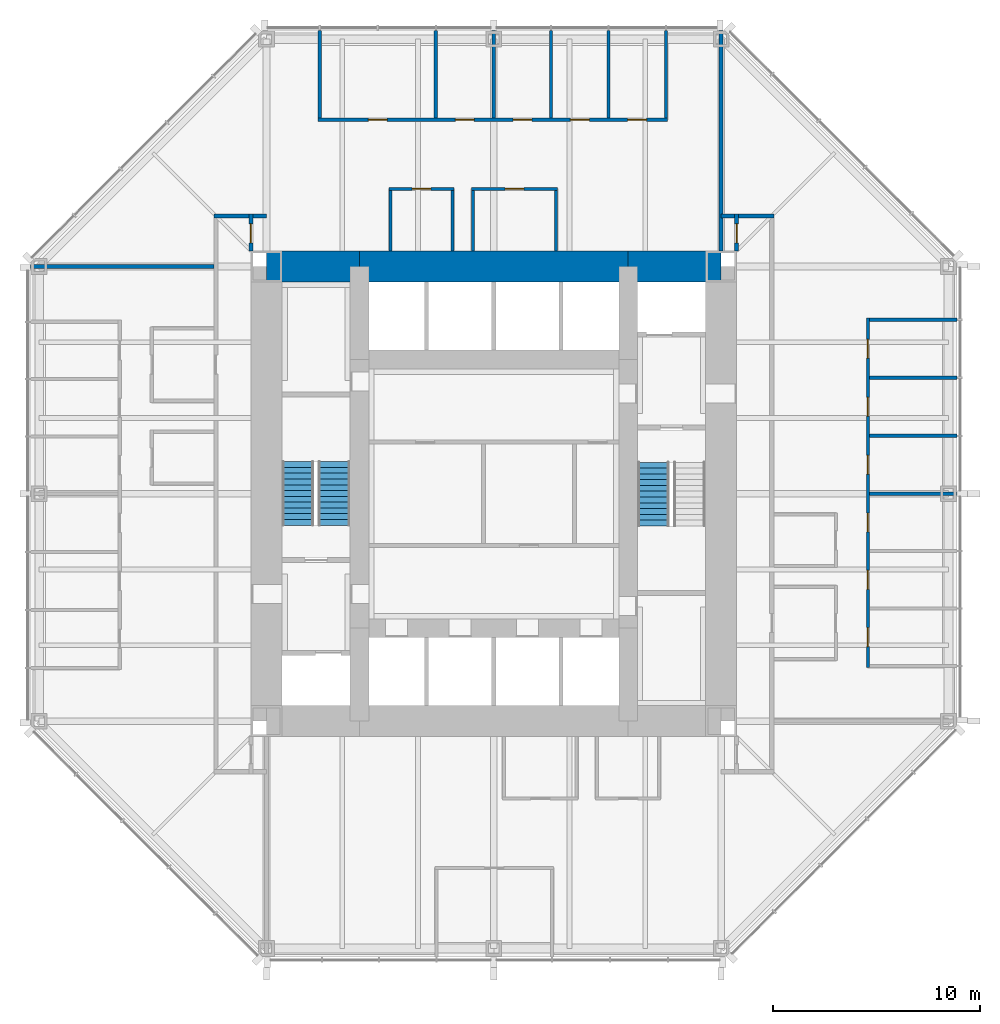
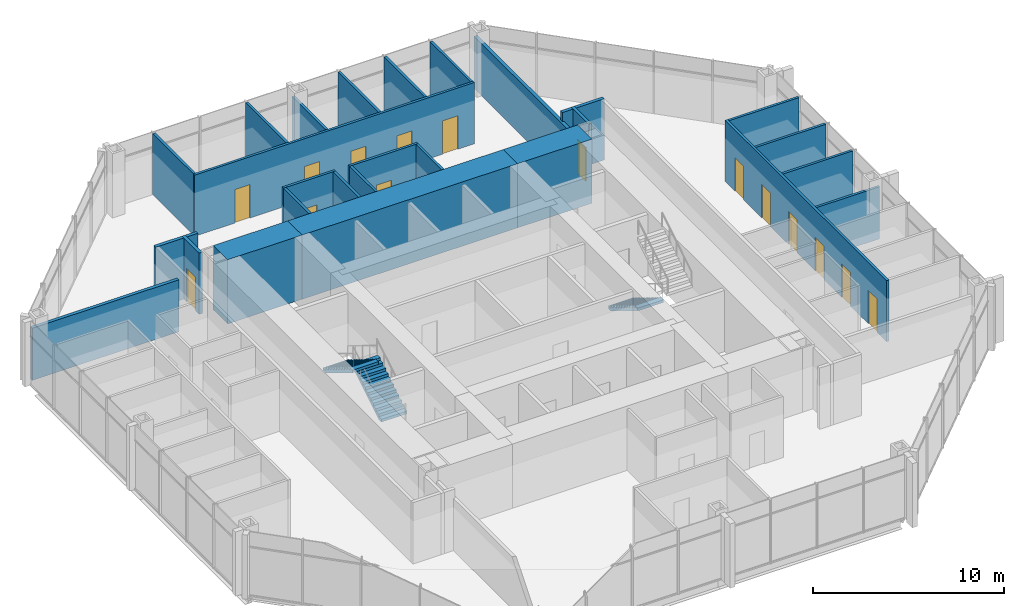
# One storey, part 11 of 14: 27 walls, 15 doors, 3 stair flights, 15 openings, 2 elements without a shape of their own.
"""IFC4 building model written with IfcOpenShell, lengths in metres."""

from ifc_helpers import new_model, si_unit, direction, frame, frame_2d, origin, place, context, subcontext, project, spatial, polyline, rectangle, outline, extrude, material, layer, layer_set, type_object, element, fill, aggregate, save


model = new_model("IFC4")

# Units and contexts
model_context = context("Model", 3, precision=1e-05, world=origin(), true_north=direction((0.0, 1.0)))
body_context = subcontext(model_context, "Body", "Model", "MODEL_VIEW")
ifc_project = project(units=[si_unit("LENGTHUNIT", "METRE"), si_unit("AREAUNIT", "SQUARE_METRE"), si_unit("VOLUMEUNIT", "CUBIC_METRE"), si_unit("PLANEANGLEUNIT", "RADIAN"), si_unit("MASSUNIT", "GRAM", prefix="KILO")], contexts=[model_context])

# Site, building, storey
site_placement = place(None, origin())
site = spatial("IfcSite", under=ifc_project, at=site_placement, CompositionType="ELEMENT")
building_placement = place(site_placement, origin())
building = spatial("IfcBuilding", under=site, at=building_placement, Name="Trevanion Tower", CompositionType="ELEMENT")
storey_placement = place(building_placement, frame((0.0, 0.0, 104.89990234375)))
storey = spatial("IfcBuildingStorey", under=building, at=storey_placement, Name="L24", CompositionType="ELEMENT", Elevation=104.89990234375)

# Walls
ifc_material_1 = material(Name="Concrete 10,000 psi", Category="concrete")
ifc_layer_1 = layer(ifc_material_1, 1.5)
ifc_layer_set_1 = layer_set([ifc_layer_1], Name="CW1 core wall 1500")
wall_type_1 = type_object("IfcWallType", Name="CW1 core wall 1500", PredefinedType="SHEAR", material=ifc_layer_set_1)
wall_1_placement = place(storey_placement, frame((11.0, 11.0, 0.0), z_axis=(0.0, 0.0, 1.0), x_axis=(-1.0, 0.0, 0.0)))
element("IfcWall", 1, at=wall_1_placement, inside=storey, type_object=wall_type_1, Name="CW1 CN1 L24", PredefinedType="SHEAR", context=body_context, shape_type="SweptSolid", body=[
    extrude(rectangle(XDim=4.5, YDim=1.5, at=frame_2d((2.25, 0.0))), origin(), (0.0, 0.0, 1.0), 4.10009765625),
])
wall_2_placement = place(storey_placement, frame((6.5, 11.0, 0.0), z_axis=(0.0, 0.0, 1.0), x_axis=(-1.0, 0.0, 0.0)))
element("IfcWall", 2, at=wall_2_placement, inside=storey, type_object=wall_type_1, Name="CW1 CN2 L24", PredefinedType="SHEAR", context=body_context, shape_type="SweptSolid", body=[
    extrude(rectangle(XDim=13.0, YDim=1.5, at=frame_2d((6.5, 0.0))), origin(), (0.0, 0.0, 1.0), 4.10009765625),
])
wall_3_placement = place(storey_placement, frame((-6.5, 11.0, 0.0), z_axis=(0.0, 0.0, 1.0), x_axis=(-1.0, 0.0, 0.0)))
element("IfcWall", 3, at=wall_3_placement, inside=storey, type_object=wall_type_1, Name="CW1 CN3 L24", PredefinedType="SHEAR", context=body_context, shape_type="SweptSolid", body=[
    extrude(rectangle(XDim=4.5, YDim=1.5, at=frame_2d((2.25, 0.0))), origin(), (0.0, 0.0, 1.0), 4.10009765625),
])

# Wall, openings, doors
ifc_material_2 = material(Name="Gypsum board on steel studs", Category="steel")
ifc_layer_2 = layer(ifc_material_2, 0.14990234375)
ifc_layer_set_2 = layer_set([ifc_layer_2], Name="PT1 partition 150")
wall_type_2 = type_object("IfcWallType", Name="PT1 partition 150", PredefinedType="PARTITIONING", material=ifc_layer_set_2)
wall_4_placement = place(storey_placement, frame((18.10009765625, -8.39794921875, 0.0), z_axis=(0.0, 0.0, 1.0), x_axis=(0.0, 1.0, 0.0)))
wall_4 = element("IfcWall", 4, at=wall_4_placement, inside=storey, type_object=wall_type_2, Name="PT1 L24 FC0F", PredefinedType="PARTITIONING", context=body_context, shape_type="SweptSolid", body=[
    extrude(rectangle(XDim=16.89404296875, YDim=0.14990234375, at=frame_2d((8.447021484375, 0.0))), origin(), (0.0, 0.0, 1.0), 3.91015625),
])
opening_1_placement = place(wall_4_placement, frame((1.00439453125, 0.0, 0.0)))
opening_1 = element("IfcOpeningElement", 5, at=opening_1_placement, cuts=wall_4, Name="Opening 24-022", PredefinedType="OPENING", context=body_context, shape_type="SweptSolid", body=[
    extrude(rectangle(XDim=0.9150390625, YDim=2.134033203125, at=frame_2d((0.45751953125, 1.06689453125))), frame((0.0, 0.0849609375, 0.0), z_axis=(0.0, -1.0, 0.0), x_axis=(1.0, 0.0, 0.0)), (0.0, 0.0, 1.0), 0.169921875),
])
opening_2_placement = place(wall_4_placement, frame((3.778564453125, 0.0, 0.0)))
opening_2 = element("IfcOpeningElement", 6, at=opening_2_placement, cuts=wall_4, Name="Opening 24-023", PredefinedType="OPENING", context=body_context, shape_type="SweptSolid", body=[
    extrude(rectangle(XDim=0.9150390625, YDim=2.134033203125, at=frame_2d((0.45751953125, 1.06689453125))), frame((0.0, 0.0849609375, 0.0), z_axis=(0.0, -1.0, 0.0), x_axis=(1.0, 0.0, 0.0)), (0.0, 0.0, 1.0), 0.169921875),
])
opening_3_placement = place(wall_4_placement, frame((6.552978515625, 0.0, 0.0)))
opening_3 = element("IfcOpeningElement", 7, at=opening_3_placement, cuts=wall_4, Name="Opening 24-024", PredefinedType="OPENING", context=body_context, shape_type="SweptSolid", body=[
    extrude(rectangle(XDim=0.9150390625, YDim=2.134033203125, at=frame_2d((0.45751953125, 1.06689453125))), frame((0.0, 0.0849609375, 0.0), z_axis=(0.0, -1.0, 0.0), x_axis=(1.0, 0.0, 0.0)), (0.0, 0.0, 1.0), 0.169921875),
])
opening_4_placement = place(wall_4_placement, frame((9.343994140625, 0.0, 0.0)))
opening_4 = element("IfcOpeningElement", 8, at=opening_4_placement, cuts=wall_4, Name="Opening 24-025", PredefinedType="OPENING", context=body_context, shape_type="SweptSolid", body=[
    extrude(rectangle(XDim=0.9150390625, YDim=2.134033203125, at=frame_2d((0.45751953125, 1.06689453125))), frame((0.0, 0.0849609375, 0.0), z_axis=(0.0, -1.0, 0.0), x_axis=(1.0, 0.0, 0.0)), (0.0, 0.0, 1.0), 0.169921875),
])
opening_5_placement = place(wall_4_placement, frame((12.15087890625, 0.0, 0.0)))
opening_5 = element("IfcOpeningElement", 9, at=opening_5_placement, cuts=wall_4, Name="Opening 24-026", PredefinedType="OPENING", context=body_context, shape_type="SweptSolid", body=[
    extrude(rectangle(XDim=0.9150390625, YDim=2.134033203125, at=frame_2d((0.45751953125, 1.06689453125))), frame((0.0, 0.0849609375, 0.0), z_axis=(0.0, -1.0, 0.0), x_axis=(1.0, 0.0, 0.0)), (0.0, 0.0, 1.0), 0.169921875),
])
opening_6_placement = place(wall_4_placement, frame((14.9580078125, 0.0, 0.0)))
opening_6 = element("IfcOpeningElement", 10, at=opening_6_placement, cuts=wall_4, Name="Opening 24-027", PredefinedType="OPENING", context=body_context, shape_type="SweptSolid", body=[
    extrude(rectangle(XDim=0.9150390625, YDim=2.134033203125, at=frame_2d((0.45751953125, 1.06689453125))), frame((0.0, 0.0849609375, 0.0), z_axis=(0.0, -1.0, 0.0), x_axis=(1.0, 0.0, 0.0)), (0.0, 0.0, 1.0), 0.169921875),
])
ifc_material_3 = material(Name="Timber veneer, solid core", Category="wood")
door_type_1 = type_object("IfcDoorType", Name="D1 office and meeting room door", OperationType="SINGLE_SWING_LEFT", PredefinedType="DOOR", material=ifc_material_3)
door_1_placement = place(opening_1_placement, origin())
door_1 = element("IfcDoor", 11, at=door_1_placement, inside=storey, type_object=door_type_1, Name="Door 24-022", OperationType="SINGLE_SWING_LEFT", OverallHeight=2.134033203125, OverallWidth=0.9150390625, PredefinedType="DOOR", context=body_context, shape_type="SweptSolid", body=[
    extrude(rectangle(XDim=0.9150390625, YDim=2.134033203125, at=frame_2d((0.45751953125, 1.06689453125))), frame((0.0, 0.02490234375, 0.0), z_axis=(0.0, -1.0, 0.0), x_axis=(1.0, 0.0, 0.0)), (0.0, 0.0, 1.0), 0.050048828125),
])
fill(opening_1, door_1)
door_2_placement = place(opening_2_placement, origin())
door_2 = element("IfcDoor", 12, at=door_2_placement, inside=storey, type_object=door_type_1, Name="Door 24-023", OperationType="SINGLE_SWING_LEFT", OverallHeight=2.134033203125, OverallWidth=0.9150390625, PredefinedType="DOOR", context=body_context, shape_type="SweptSolid", body=[
    extrude(rectangle(XDim=0.9150390625, YDim=2.134033203125, at=frame_2d((0.45751953125, 1.06689453125))), frame((0.0, 0.02490234375, 0.0), z_axis=(0.0, -1.0, 0.0), x_axis=(1.0, 0.0, 0.0)), (0.0, 0.0, 1.0), 0.050048828125),
])
fill(opening_2, door_2)
door_3_placement = place(opening_3_placement, origin())
door_3 = element("IfcDoor", 13, at=door_3_placement, inside=storey, type_object=door_type_1, Name="Door 24-024", OperationType="SINGLE_SWING_LEFT", OverallHeight=2.134033203125, OverallWidth=0.9150390625, PredefinedType="DOOR", context=body_context, shape_type="SweptSolid", body=[
    extrude(rectangle(XDim=0.9150390625, YDim=2.134033203125, at=frame_2d((0.45751953125, 1.06689453125))), frame((0.0, 0.02490234375, 0.0), z_axis=(0.0, -1.0, 0.0), x_axis=(1.0, 0.0, 0.0)), (0.0, 0.0, 1.0), 0.050048828125),
])
fill(opening_3, door_3)
door_4_placement = place(opening_4_placement, origin())
door_4 = element("IfcDoor", 14, at=door_4_placement, inside=storey, type_object=door_type_1, Name="Door 24-025", OperationType="SINGLE_SWING_LEFT", OverallHeight=2.134033203125, OverallWidth=0.9150390625, PredefinedType="DOOR", context=body_context, shape_type="SweptSolid", body=[
    extrude(rectangle(XDim=0.9150390625, YDim=2.134033203125, at=frame_2d((0.45751953125, 1.06689453125))), frame((0.0, 0.02490234375, 0.0), z_axis=(0.0, -1.0, 0.0), x_axis=(1.0, 0.0, 0.0)), (0.0, 0.0, 1.0), 0.050048828125),
])
fill(opening_4, door_4)
door_5_placement = place(opening_5_placement, origin())
door_5 = element("IfcDoor", 15, at=door_5_placement, inside=storey, type_object=door_type_1, Name="Door 24-026", OperationType="SINGLE_SWING_LEFT", OverallHeight=2.134033203125, OverallWidth=0.9150390625, PredefinedType="DOOR", context=body_context, shape_type="SweptSolid", body=[
    extrude(rectangle(XDim=0.9150390625, YDim=2.134033203125, at=frame_2d((0.45751953125, 1.06689453125))), frame((0.0, 0.02490234375, 0.0), z_axis=(0.0, -1.0, 0.0), x_axis=(1.0, 0.0, 0.0)), (0.0, 0.0, 1.0), 0.050048828125),
])
fill(opening_5, door_5)
door_6_placement = place(opening_6_placement, origin())
door_6 = element("IfcDoor", 16, at=door_6_placement, inside=storey, type_object=door_type_1, Name="Door 24-027", OperationType="SINGLE_SWING_LEFT", OverallHeight=2.134033203125, OverallWidth=0.9150390625, PredefinedType="DOOR", context=body_context, shape_type="SweptSolid", body=[
    extrude(rectangle(XDim=0.9150390625, YDim=2.134033203125, at=frame_2d((0.45751953125, 1.06689453125))), frame((0.0, 0.02490234375, 0.0), z_axis=(0.0, -1.0, 0.0), x_axis=(1.0, 0.0, 0.0)), (0.0, 0.0, 1.0), 0.050048828125),
])
fill(opening_6, door_6)

# Walls
wall_5_placement = place(storey_placement, frame((18.175048828125, 0.0, 0.0), z_axis=(0.0, 0.0, 1.0), x_axis=(1.0, 0.0, 0.0)))
element("IfcWall", 17, at=wall_5_placement, inside=storey, type_object=wall_type_2, Name="PT1 L24 FC0S3", PredefinedType="PARTITIONING", context=body_context, shape_type="SweptSolid", body=[
    extrude(rectangle(XDim=4.239990234375, YDim=0.14990234375, at=frame_2d((2.1201171875, 0.0))), origin(), (0.0, 0.0, 1.0), 3.325927734375),
])
for number, where, z_axis, x_axis, name in (
    (18, (18.175048828125, 2.806884765625, 0.0), (0.0, 0.0, 1.0), (1.0, 0.0, 0.0), "PT1 L24 FC0S4"),
    (19, (18.175048828125, 5.614013671875, 0.0), (0.0, 0.0, 1.0), (1.0, 0.0, 0.0), "PT1 L24 FC0S5"),
    (20, (18.175048828125, 8.4208984375, 0.0), (0.0, 0.0, 1.0), (1.0, 0.0, 0.0), "PT1 L24 FC0S6"),
):
    element("IfcWall", number, at=place(storey_placement, frame(where, z_axis=z_axis, x_axis=x_axis)), inside=storey, type_object=wall_type_2, Name=name, PredefinedType="PARTITIONING", context=body_context, shape_type="SweptSolid", body=[
        extrude(rectangle(XDim=4.239990234375, YDim=0.14990234375, at=frame_2d((2.1201171875, 0.0))), origin(), (0.0, 0.0, 1.0), 3.91015625),
    ])

# Wall, openings, doors
wall_6_placement = place(storey_placement, frame((8.39794921875, 18.10009765625, 0.0), z_axis=(0.0, 0.0, 1.0), x_axis=(-1.0, 0.0, 0.0)))
wall_6 = element("IfcWall", 21, at=wall_6_placement, inside=storey, type_object=wall_type_2, Name="PT1 L24 FC1F", PredefinedType="PARTITIONING", context=body_context, shape_type="SweptSolid", body=[
    extrude(rectangle(XDim=16.89404296875, YDim=0.14990234375, at=frame_2d((8.447021484375, 0.0))), origin(), (0.0, 0.0, 1.0), 3.91015625),
])
opening_7_placement = place(wall_6_placement, frame((1.00439453125, 0.0, 0.0)))
opening_7 = element("IfcOpeningElement", 22, at=opening_7_placement, cuts=wall_6, Name="Opening 24-028", PredefinedType="OPENING", context=body_context, shape_type="SweptSolid", body=[
    extrude(rectangle(XDim=0.9150390625, YDim=2.134033203125, at=frame_2d((0.45751953125, 1.06689453125))), frame((0.0, 0.0849609375, 0.0), z_axis=(0.0, -1.0, 0.0), x_axis=(1.0, 0.0, 0.0)), (0.0, 0.0, 1.0), 0.169921875),
])
opening_8_placement = place(wall_6_placement, frame((3.778564453125, 0.0, 0.0)))
opening_8 = element("IfcOpeningElement", 23, at=opening_8_placement, cuts=wall_6, Name="Opening 24-029", PredefinedType="OPENING", context=body_context, shape_type="SweptSolid", body=[
    extrude(rectangle(XDim=0.9150390625, YDim=2.134033203125, at=frame_2d((0.45751953125, 1.06689453125))), frame((0.0, 0.0849609375, 0.0), z_axis=(0.0, -1.0, 0.0), x_axis=(1.0, 0.0, 0.0)), (0.0, 0.0, 1.0), 0.169921875),
])
opening_9_placement = place(wall_6_placement, frame((6.552978515625, 0.0, 0.0)))
opening_9 = element("IfcOpeningElement", 24, at=opening_9_placement, cuts=wall_6, Name="Opening 24-030", PredefinedType="OPENING", context=body_context, shape_type="SweptSolid", body=[
    extrude(rectangle(XDim=0.9150390625, YDim=2.134033203125, at=frame_2d((0.45751953125, 1.06689453125))), frame((0.0, 0.0849609375, 0.0), z_axis=(0.0, -1.0, 0.0), x_axis=(1.0, 0.0, 0.0)), (0.0, 0.0, 1.0), 0.169921875),
])
opening_10_placement = place(wall_6_placement, frame((9.343994140625, 0.0, 0.0)))
opening_10 = element("IfcOpeningElement", 25, at=opening_10_placement, cuts=wall_6, Name="Opening 24-031", PredefinedType="OPENING", context=body_context, shape_type="SweptSolid", body=[
    extrude(rectangle(XDim=0.9150390625, YDim=2.134033203125, at=frame_2d((0.45751953125, 1.06689453125))), frame((0.0, 0.0849609375, 0.0), z_axis=(0.0, -1.0, 0.0), x_axis=(1.0, 0.0, 0.0)), (0.0, 0.0, 1.0), 0.169921875),
])
opening_11_placement = place(wall_6_placement, frame((13.554443359375, 0.0, 0.0)))
opening_11 = element("IfcOpeningElement", 26, at=opening_11_placement, cuts=wall_6, Name="Opening 24-032", PredefinedType="OPENING", context=body_context, shape_type="SweptSolid", body=[
    extrude(rectangle(XDim=0.9150390625, YDim=2.134033203125, at=frame_2d((0.45751953125, 1.06689453125))), frame((0.0, 0.0849609375, 0.0), z_axis=(0.0, -1.0, 0.0), x_axis=(1.0, 0.0, 0.0)), (0.0, 0.0, 1.0), 0.169921875),
])
door_7_placement = place(opening_7_placement, origin())
door_7 = element("IfcDoor", 27, at=door_7_placement, inside=storey, type_object=door_type_1, Name="Door 24-028", OperationType="SINGLE_SWING_LEFT", OverallHeight=2.134033203125, OverallWidth=0.9150390625, PredefinedType="DOOR", context=body_context, shape_type="SweptSolid", body=[
    extrude(rectangle(XDim=0.9150390625, YDim=2.134033203125, at=frame_2d((0.45751953125, 1.06689453125))), frame((0.0, 0.02490234375, 0.0), z_axis=(0.0, -1.0, 0.0), x_axis=(1.0, 0.0, 0.0)), (0.0, 0.0, 1.0), 0.050048828125),
])
fill(opening_7, door_7)
door_8_placement = place(opening_8_placement, origin())
door_8 = element("IfcDoor", 28, at=door_8_placement, inside=storey, type_object=door_type_1, Name="Door 24-029", OperationType="SINGLE_SWING_LEFT", OverallHeight=2.134033203125, OverallWidth=0.9150390625, PredefinedType="DOOR", context=body_context, shape_type="SweptSolid", body=[
    extrude(rectangle(XDim=0.9150390625, YDim=2.134033203125, at=frame_2d((0.45751953125, 1.06689453125))), frame((0.0, 0.02490234375, 0.0), z_axis=(0.0, -1.0, 0.0), x_axis=(1.0, 0.0, 0.0)), (0.0, 0.0, 1.0), 0.050048828125),
])
fill(opening_8, door_8)
door_9_placement = place(opening_9_placement, origin())
door_9 = element("IfcDoor", 29, at=door_9_placement, inside=storey, type_object=door_type_1, Name="Door 24-030", OperationType="SINGLE_SWING_LEFT", OverallHeight=2.134033203125, OverallWidth=0.9150390625, PredefinedType="DOOR", context=body_context, shape_type="SweptSolid", body=[
    extrude(rectangle(XDim=0.9150390625, YDim=2.134033203125, at=frame_2d((0.45751953125, 1.06689453125))), frame((0.0, 0.02490234375, 0.0), z_axis=(0.0, -1.0, 0.0), x_axis=(1.0, 0.0, 0.0)), (0.0, 0.0, 1.0), 0.050048828125),
])
fill(opening_9, door_9)
door_10_placement = place(opening_10_placement, origin())
door_10 = element("IfcDoor", 30, at=door_10_placement, inside=storey, type_object=door_type_1, Name="Door 24-031", OperationType="SINGLE_SWING_LEFT", OverallHeight=2.134033203125, OverallWidth=0.9150390625, PredefinedType="DOOR", context=body_context, shape_type="SweptSolid", body=[
    extrude(rectangle(XDim=0.9150390625, YDim=2.134033203125, at=frame_2d((0.45751953125, 1.06689453125))), frame((0.0, 0.02490234375, 0.0), z_axis=(0.0, -1.0, 0.0), x_axis=(1.0, 0.0, 0.0)), (0.0, 0.0, 1.0), 0.050048828125),
])
fill(opening_10, door_10)
door_11_placement = place(opening_11_placement, origin())
door_11 = element("IfcDoor", 31, at=door_11_placement, inside=storey, type_object=door_type_1, Name="Door 24-032", OperationType="SINGLE_SWING_LEFT", OverallHeight=2.134033203125, OverallWidth=0.9150390625, PredefinedType="DOOR", context=body_context, shape_type="SweptSolid", body=[
    extrude(rectangle(XDim=0.9150390625, YDim=2.134033203125, at=frame_2d((0.45751953125, 1.06689453125))), frame((0.0, 0.02490234375, 0.0), z_axis=(0.0, -1.0, 0.0), x_axis=(1.0, 0.0, 0.0)), (0.0, 0.0, 1.0), 0.050048828125),
])
fill(opening_11, door_11)

# Walls
for number, where, z_axis, x_axis, name in (
    (32, (8.322998046875, 18.175048828125, 0.0), (0.0, 0.0, 1.0), (0.0, 1.0, 0.0), "PT1 L24 FC1S0"),
    (33, (5.549072265625, 18.175048828125, 0.0), (0.0, 0.0, 1.0), (0.0, 1.0, 0.0), "PT1 L24 FC1S1"),
    (34, (2.77490234375, 18.175048828125, 0.0), (0.0, 0.0, 1.0), (0.0, 1.0, 0.0), "PT1 L24 FC1S2"),
):
    element("IfcWall", number, at=place(storey_placement, frame(where, z_axis=z_axis, x_axis=x_axis)), inside=storey, type_object=wall_type_2, Name=name, PredefinedType="PARTITIONING", context=body_context, shape_type="SweptSolid", body=[
        extrude(rectangle(XDim=4.239990234375, YDim=0.14990234375, at=frame_2d((2.1201171875, 0.0))), origin(), (0.0, 0.0, 1.0), 3.91015625),
    ])
wall_7_placement = place(storey_placement, frame((0.0, 18.175048828125, 0.0), z_axis=(0.0, 0.0, 1.0), x_axis=(0.0, 1.0, 0.0)))
element("IfcWall", 35, at=wall_7_placement, inside=storey, type_object=wall_type_2, Name="PT1 L24 FC1S3", PredefinedType="PARTITIONING", context=body_context, shape_type="SweptSolid", body=[
    extrude(rectangle(XDim=4.239990234375, YDim=0.14990234375, at=frame_2d((2.1201171875, 0.0))), origin(), (0.0, 0.0, 1.0), 3.325927734375),
])
for number, where, z_axis, x_axis, name in (
    (36, (-2.806884765625, 18.175048828125, 0.0), (0.0, 0.0, 1.0), (0.0, 1.0, 0.0), "PT1 L24 FC1S4"),
    (37, (-8.4208984375, 18.175048828125, 0.0), (0.0, 0.0, 1.0), (0.0, 1.0, 0.0), "PT1 L24 FC1S6"),
):
    element("IfcWall", number, at=place(storey_placement, frame(where, z_axis=z_axis, x_axis=x_axis)), inside=storey, type_object=wall_type_2, Name=name, PredefinedType="PARTITIONING", context=body_context, shape_type="SweptSolid", body=[
        extrude(rectangle(XDim=4.239990234375, YDim=0.14990234375, at=frame_2d((2.1201171875, 0.0))), origin(), (0.0, 0.0, 1.0), 3.91015625),
    ])

# Wall, opening, door
wall_8_placement = place(storey_placement, frame((3.074951171875, 14.75, 0.0), z_axis=(0.0, 0.0, 1.0), x_axis=(-1.0, 0.0, 0.0)))
wall_8 = element("IfcWall", 38, at=wall_8_placement, inside=storey, type_object=wall_type_2, Name="PT1 L24 IN10F", PredefinedType="PARTITIONING", context=body_context, shape_type="SweptSolid", body=[
    extrude(rectangle(XDim=4.14990234375, YDim=0.14990234375, at=frame_2d((2.074951171875, 0.0))), origin(), (0.0, 0.0, 1.0), 3.91015625),
])
opening_12_placement = place(wall_8_placement, frame((1.617431640625, 0.0, 0.0)))
opening_12 = element("IfcOpeningElement", 39, at=opening_12_placement, cuts=wall_8, Name="Opening 24-043", PredefinedType="OPENING", context=body_context, shape_type="SweptSolid", body=[
    extrude(rectangle(XDim=0.9150390625, YDim=2.134033203125, at=frame_2d((0.45751953125, 1.06689453125))), frame((0.0, 0.0849609375, 0.0), z_axis=(0.0, -1.0, 0.0), x_axis=(1.0, 0.0, 0.0)), (0.0, 0.0, 1.0), 0.169921875),
])
door_12_placement = place(opening_12_placement, origin())
door_12 = element("IfcDoor", 40, at=door_12_placement, inside=storey, type_object=door_type_1, Name="Door 24-043", OperationType="SINGLE_SWING_LEFT", OverallHeight=2.134033203125, OverallWidth=0.9150390625, PredefinedType="DOOR", context=body_context, shape_type="SweptSolid", body=[
    extrude(rectangle(XDim=0.9150390625, YDim=2.134033203125, at=frame_2d((0.45751953125, 1.06689453125))), frame((0.0, 0.02490234375, 0.0), z_axis=(0.0, -1.0, 0.0), x_axis=(1.0, 0.0, 0.0)), (0.0, 0.0, 1.0), 0.050048828125),
])
fill(opening_12, door_12)

# Walls
for number, where, z_axis, x_axis, name in (
    (41, (3.0, 14.675048828125, 0.0), (0.0, 0.0, 1.0), (0.0, -1.0, 0.0), "PT1 L24 IN10S0"),
    (42, (-1.0, 14.675048828125, 0.0), (0.0, 0.0, 1.0), (0.0, -1.0, 0.0), "PT1 L24 IN10S1"),
):
    element("IfcWall", number, at=place(storey_placement, frame(where, z_axis=z_axis, x_axis=x_axis)), inside=storey, type_object=wall_type_2, Name=name, PredefinedType="PARTITIONING", context=body_context, shape_type="SweptSolid", body=[
        extrude(rectangle(XDim=2.925048828125, YDim=0.14990234375, at=frame_2d((1.46240234375, 0.0))), origin(), (0.0, 0.0, 1.0), 3.91015625),
    ])

# Wall, opening, door
wall_9_placement = place(storey_placement, frame((-1.925048828125, 14.75, 0.0), z_axis=(0.0, 0.0, 1.0), x_axis=(-1.0, 0.0, 0.0)))
wall_9 = element("IfcWall", 43, at=wall_9_placement, inside=storey, type_object=wall_type_2, Name="PT1 L24 IN11F", PredefinedType="PARTITIONING", context=body_context, shape_type="SweptSolid", body=[
    extrude(rectangle(XDim=3.14990234375, YDim=0.14990234375, at=frame_2d((1.574951171875, 0.0))), origin(), (0.0, 0.0, 1.0), 3.91015625),
])
opening_13_placement = place(wall_9_placement, frame((1.117431640625, 0.0, 0.0)))
opening_13 = element("IfcOpeningElement", 44, at=opening_13_placement, cuts=wall_9, Name="Opening 24-044", PredefinedType="OPENING", context=body_context, shape_type="SweptSolid", body=[
    extrude(rectangle(XDim=0.9150390625, YDim=2.134033203125, at=frame_2d((0.45751953125, 1.06689453125))), frame((0.0, 0.0849609375, 0.0), z_axis=(0.0, -1.0, 0.0), x_axis=(1.0, 0.0, 0.0)), (0.0, 0.0, 1.0), 0.169921875),
])
door_13_placement = place(opening_13_placement, origin())
door_13 = element("IfcDoor", 45, at=door_13_placement, inside=storey, type_object=door_type_1, Name="Door 24-044", OperationType="SINGLE_SWING_LEFT", OverallHeight=2.134033203125, OverallWidth=0.9150390625, PredefinedType="DOOR", context=body_context, shape_type="SweptSolid", body=[
    extrude(rectangle(XDim=0.9150390625, YDim=2.134033203125, at=frame_2d((0.45751953125, 1.06689453125))), frame((0.0, 0.02490234375, 0.0), z_axis=(0.0, -1.0, 0.0), x_axis=(1.0, 0.0, 0.0)), (0.0, 0.0, 1.0), 0.050048828125),
])
fill(opening_13, door_13)

# Walls
for number, where, z_axis, x_axis, name in (
    (46, (-2.0, 14.675048828125, 0.0), (0.0, 0.0, 1.0), (0.0, -1.0, 0.0), "PT1 L24 IN11S0"),
    (47, (-5.0, 14.675048828125, 0.0), (0.0, 0.0, 1.0), (0.0, -1.0, 0.0), "PT1 L24 IN11S1"),
):
    element("IfcWall", number, at=place(storey_placement, frame(where, z_axis=z_axis, x_axis=x_axis)), inside=storey, type_object=wall_type_2, Name=name, PredefinedType="PARTITIONING", context=body_context, shape_type="SweptSolid", body=[
        extrude(rectangle(XDim=2.925048828125, YDim=0.14990234375, at=frame_2d((1.46240234375, 0.0))), origin(), (0.0, 0.0, 1.0), 3.91015625),
    ])

# Wall, opening, door
ifc_material_4 = material(Name="Concrete masonry, grouted", Category="masonry")
ifc_layer_3 = layer(ifc_material_4, 0.199951171875)
ifc_layer_set_3 = layer_set([ifc_layer_3], Name="PT2 partition 200 1 HR")
wall_type_3 = type_object("IfcWallType", Name="PT2 partition 200 1 HR", PredefinedType="PARTITIONING", material=ifc_layer_set_3)
wall_10_placement = place(storey_placement, frame((11.75, 11.75, 0.0), z_axis=(0.0, 0.0, 1.0), x_axis=(0.0, 1.0, 0.0)))
wall_10 = element("IfcWall", 48, at=wall_10_placement, inside=storey, type_object=wall_type_3, Name="PT2 L24 OUNE1", PredefinedType="PARTITIONING", context=body_context, shape_type="SweptSolid", body=[
    extrude(rectangle(XDim=1.800048828125, YDim=0.199951171875, at=frame_2d((0.89990234375, 0.0))), origin(), (0.0, 0.0, 1.0), 3.91015625),
])
opening_14_placement = place(wall_10_placement, frame((0.392578125, 0.0, 0.0)))
opening_14 = element("IfcOpeningElement", 49, at=opening_14_placement, cuts=wall_10, Name="Opening 24-018", PredefinedType="OPENING", context=body_context, shape_type="SweptSolid", body=[
    extrude(rectangle(XDim=0.9150390625, YDim=2.134033203125, at=frame_2d((0.45751953125, 1.06689453125))), frame((0.0, 0.10986328125, 0.0), z_axis=(0.0, -1.0, 0.0), x_axis=(1.0, 0.0, 0.0)), (0.0, 0.0, 1.0), 0.219970703125),
])
ifc_material_5 = material(Name="Timber veneer, fire rated", Category="wood")
door_type_2 = type_object("IfcDoorType", Name="D10 office door in a one hour wall", OperationType="SINGLE_SWING_LEFT", PredefinedType="DOOR", material=ifc_material_5)
door_14_placement = place(opening_14_placement, frame((0.9150390625, 0.0, 0.0), z_axis=(0.0, 0.0, 1.0), x_axis=(-1.0, 0.0, 0.0)))
door_14 = element("IfcDoor", 50, at=door_14_placement, inside=storey, type_object=door_type_2, Name="Door 24-018", OperationType="SINGLE_SWING_LEFT", OverallHeight=2.134033203125, OverallWidth=0.9150390625, PredefinedType="DOOR", context=body_context, shape_type="SweptSolid", body=[
    extrude(rectangle(XDim=0.9150390625, YDim=2.134033203125, at=frame_2d((0.45751953125, 1.06689453125))), frame((0.0, 0.02490234375, 0.0), z_axis=(0.0, -1.0, 0.0), x_axis=(1.0, 0.0, 0.0)), (0.0, 0.0, 1.0), 0.050048828125),
])
fill(opening_14, door_14)

# Wall
wall_11_placement = place(storey_placement, frame((11.0, 13.449951171875, 0.0), z_axis=(0.0, 0.0, 1.0), x_axis=(1.0, 0.0, 0.0)))
element("IfcWall", 51, at=wall_11_placement, inside=storey, type_object=wall_type_3, Name="PT2 L24 OUNE2", PredefinedType="PARTITIONING", context=body_context, shape_type="SweptSolid", body=[
    extrude(rectangle(XDim=2.550048828125, YDim=0.199951171875, at=frame_2d((1.27490234375, 0.0))), origin(), (0.0, 0.0, 1.0), 3.91015625),
])

# Wall, opening, door
wall_12_placement = place(storey_placement, frame((-11.75, 11.75, 0.0), z_axis=(0.0, 0.0, 1.0), x_axis=(0.0, 1.0, 0.0)))
wall_12 = element("IfcWall", 52, at=wall_12_placement, inside=storey, type_object=wall_type_3, Name="PT2 L24 OUNW1", PredefinedType="PARTITIONING", context=body_context, shape_type="SweptSolid", body=[
    extrude(rectangle(XDim=1.800048828125, YDim=0.199951171875, at=frame_2d((0.89990234375, 0.0))), origin(), (0.0, 0.0, 1.0), 3.91015625),
])
opening_15_placement = place(wall_12_placement, frame((0.392578125, 0.0, 0.0)))
opening_15 = element("IfcOpeningElement", 53, at=opening_15_placement, cuts=wall_12, Name="Opening 24-019", PredefinedType="OPENING", context=body_context, shape_type="SweptSolid", body=[
    extrude(rectangle(XDim=0.9150390625, YDim=2.134033203125, at=frame_2d((0.45751953125, 1.06689453125))), frame((0.0, 0.10986328125, 0.0), z_axis=(0.0, -1.0, 0.0), x_axis=(1.0, 0.0, 0.0)), (0.0, 0.0, 1.0), 0.219970703125),
])
door_15_placement = place(opening_15_placement, origin())
door_15 = element("IfcDoor", 54, at=door_15_placement, inside=storey, type_object=door_type_2, Name="Door 24-019", OperationType="SINGLE_SWING_LEFT", OverallHeight=2.134033203125, OverallWidth=0.9150390625, PredefinedType="DOOR", context=body_context, shape_type="SweptSolid", body=[
    extrude(rectangle(XDim=0.9150390625, YDim=2.134033203125, at=frame_2d((0.45751953125, 1.06689453125))), frame((0.0, 0.02490234375, 0.0), z_axis=(0.0, -1.0, 0.0), x_axis=(1.0, 0.0, 0.0)), (0.0, 0.0, 1.0), 0.050048828125),
])
fill(opening_15, door_15)

# Walls
wall_13_placement = place(storey_placement, frame((-11.0, 13.449951171875, 0.0), z_axis=(0.0, 0.0, 1.0), x_axis=(-1.0, 0.0, 0.0)))
element("IfcWall", 55, at=wall_13_placement, inside=storey, type_object=wall_type_3, Name="PT2 L24 OUNW2", PredefinedType="PARTITIONING", context=body_context, shape_type="SweptSolid", body=[
    extrude(rectangle(XDim=2.550048828125, YDim=0.199951171875, at=frame_2d((1.27490234375, 0.0))), origin(), (0.0, 0.0, 1.0), 3.91015625),
])
wall_14_placement = place(storey_placement, frame((11.0, 11.75, 0.0), z_axis=(0.0, 0.0, 1.0), x_axis=(0.0, 1.0, 0.0)))
element("IfcWall", 56, at=wall_14_placement, inside=storey, type_object=wall_type_3, Name="PT2 L24 DM0", PredefinedType="PARTITIONING", context=body_context, shape_type="SweptSolid", body=[
    extrude(rectangle(XDim=10.6650390625, YDim=0.199951171875, at=frame_2d((5.33251953125, 0.0))), origin(), (0.0, 0.0, 1.0), 3.325927734375),
])
wall_15_placement = place(storey_placement, frame((-13.550048828125, 11.0, 0.0), z_axis=(0.0, 0.0, 1.0), x_axis=(-1.0, 0.0, 0.0)))
element("IfcWall", 57, at=wall_15_placement, inside=storey, type_object=wall_type_3, Name="PT2 L24 DM1", PredefinedType="PARTITIONING", context=body_context, shape_type="SweptSolid", body=[
    extrude(rectangle(XDim=8.864990234375, YDim=0.199951171875, at=frame_2d((4.4326171875, 0.0))), origin(), (0.0, 0.0, 1.0), 3.325927734375),
])

# Stair, stair flight
ifc_material_6 = material(Name="Concrete 5,000 psi on steel stringers", Category="concrete")
stair_type = type_object("IfcStairType", Name="ST stair", PredefinedType="HALF_TURN_STAIR", material=ifc_material_6)
stair_1_placement = place(storey_placement, origin())
stair_1 = element("IfcStair", 58, at=stair_1_placement, inside=storey, type_object=stair_type, Name="ST1 L24", PredefinedType="HALF_TURN_STAIR")
ifc_material_7 = material(Name="Concrete 5,000 psi in steel pan", Category="concrete")
stair_flight_type = type_object("IfcStairFlightType", Name="STF stair flight", PredefinedType="STRAIGHT", material=ifc_material_7)
stair_flight_1_placement = place(storey_placement, frame((7.72509765625, 1.52490234375, 0.0), z_axis=(0.0, 0.0, 1.0), x_axis=(0.0, -1.0, 0.0)))
stair_flight_1 = element("IfcStairFlight", 59, at=stair_flight_1_placement, type_object=stair_flight_type, Name="ST1 flight 1", NumberOfRisers=12, NumberOfTreads=11, PredefinedType="STRAIGHT", RiserHeight=0.170833333, TreadLength=0.28, context=body_context, shape_type="SweptSolid", body=[
    extrude(outline(polyline([(0.0, 0.0), (0.0, 0.1708984375), (0.280029296875, 0.1708984375), (0.280029296875, 0.341552734375), (0.56005859375, 0.341552734375), (0.56005859375, 0.512451171875), (0.840087890625, 0.512451171875), (0.840087890625, 0.683349609375), (1.1201171875, 0.683349609375), (1.1201171875, 0.854248046875), (1.39990234375, 0.854248046875), (1.39990234375, 1.02490234375), (1.679931640625, 1.02490234375), (1.679931640625, 1.19580078125), (1.9599609375, 1.19580078125), (1.9599609375, 1.36669921875), (2.239990234375, 1.36669921875), (2.239990234375, 1.53759765625), (2.52001953125, 1.53759765625), (2.52001953125, 1.708251953125), (2.800048828125, 1.708251953125), (2.800048828125, 1.879150390625), (3.080078125, 1.879150390625), (3.080078125, 2.050048828125), (3.080078125, 1.70361328125), (0.287841796875, 0.0), (0.0, 0.0)])), frame((0.0, 0.77490234375, 0.0), z_axis=(0.0, -1.0, 0.0), x_axis=(1.0, 0.0, 0.0)), (0.0, 0.0, 1.0), 1.550048828125),
])
aggregate(stair_1, [stair_flight_1])

# Stair, stair flights
stair_2_placement = place(storey_placement, origin())
stair_2 = element("IfcStair", 60, at=stair_2_placement, inside=storey, type_object=stair_type, Name="ST2 L24", PredefinedType="HALF_TURN_STAIR")
stair_flight_2_placement = place(storey_placement, frame((-7.72509765625, -1.52490234375, 0.0), z_axis=(0.0, 0.0, 1.0), x_axis=(0.0, 1.0, 0.0)))
stair_flight_2 = element("IfcStairFlight", 61, at=stair_flight_2_placement, type_object=stair_flight_type, Name="ST2 flight 1", NumberOfRisers=12, NumberOfTreads=11, PredefinedType="STRAIGHT", RiserHeight=0.170833333, TreadLength=0.28, context=body_context, shape_type="SweptSolid", body=[
    extrude(outline(polyline([(0.0, 0.0), (0.0, 0.1708984375), (0.280029296875, 0.1708984375), (0.280029296875, 0.341552734375), (0.56005859375, 0.341552734375), (0.56005859375, 0.512451171875), (0.840087890625, 0.512451171875), (0.840087890625, 0.683349609375), (1.1201171875, 0.683349609375), (1.1201171875, 0.854248046875), (1.39990234375, 0.854248046875), (1.39990234375, 1.02490234375), (1.679931640625, 1.02490234375), (1.679931640625, 1.19580078125), (1.9599609375, 1.19580078125), (1.9599609375, 1.36669921875), (2.239990234375, 1.36669921875), (2.239990234375, 1.53759765625), (2.52001953125, 1.53759765625), (2.52001953125, 1.708251953125), (2.800048828125, 1.708251953125), (2.800048828125, 1.879150390625), (3.080078125, 1.879150390625), (3.080078125, 2.050048828125), (3.080078125, 1.70361328125), (0.287841796875, 0.0), (0.0, 0.0)])), frame((0.0, 0.77490234375, 0.0), z_axis=(0.0, -1.0, 0.0), x_axis=(1.0, 0.0, 0.0)), (0.0, 0.0, 1.0), 1.550048828125),
])
stair_flight_3_placement = place(storey_placement, frame((-9.47509765625, 1.554931640625, 2.050048828125), z_axis=(0.0, 0.0, 1.0), x_axis=(0.0, -1.0, 0.0)))
stair_flight_3 = element("IfcStairFlight", 62, at=stair_flight_3_placement, type_object=stair_flight_type, Name="ST2 flight 2", NumberOfRisers=12, NumberOfTreads=11, PredefinedType="STRAIGHT", RiserHeight=0.170833333, TreadLength=0.28, context=body_context, shape_type="SweptSolid", body=[
    extrude(outline(polyline([(0.0, 0.0), (0.0, 0.1708984375), (0.280029296875, 0.1708984375), (0.280029296875, 0.341552734375), (0.56005859375, 0.341552734375), (0.56005859375, 0.512451171875), (0.840087890625, 0.512451171875), (0.840087890625, 0.683349609375), (1.1201171875, 0.683349609375), (1.1201171875, 0.854248046875), (1.39990234375, 0.854248046875), (1.39990234375, 1.02490234375), (1.679931640625, 1.02490234375), (1.679931640625, 1.19580078125), (1.9599609375, 1.19580078125), (1.9599609375, 1.36669921875), (2.239990234375, 1.36669921875), (2.239990234375, 1.53759765625), (2.52001953125, 1.53759765625), (2.52001953125, 1.708251953125), (2.800048828125, 1.708251953125), (2.800048828125, 1.879150390625), (3.080078125, 1.879150390625), (3.080078125, 2.050048828125), (3.080078125, 1.70361328125), (0.287841796875, 0.0), (0.0, 0.0)])), frame((0.0, 0.77490234375, 0.0), z_axis=(0.0, -1.0, 0.0), x_axis=(1.0, 0.0, 0.0)), (0.0, 0.0, 1.0), 1.550048828125),
])
aggregate(stair_2, [stair_flight_2, stair_flight_3])

save(model, "model.ifc")
